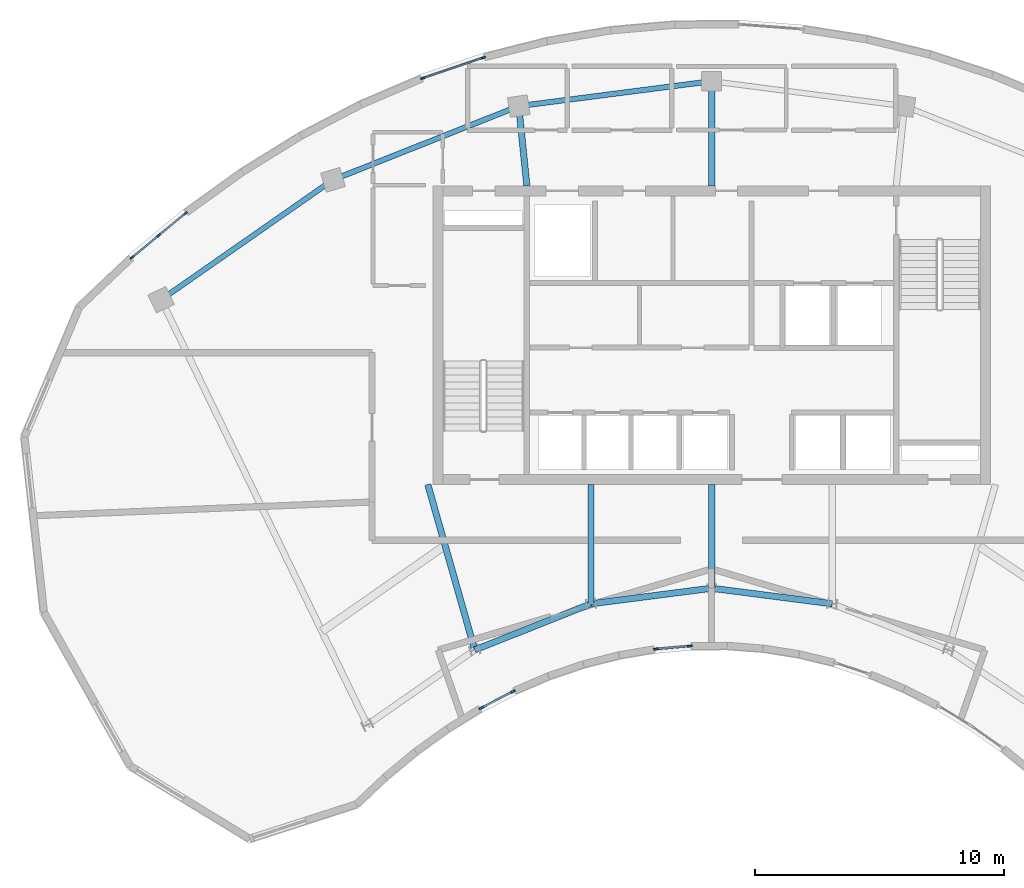
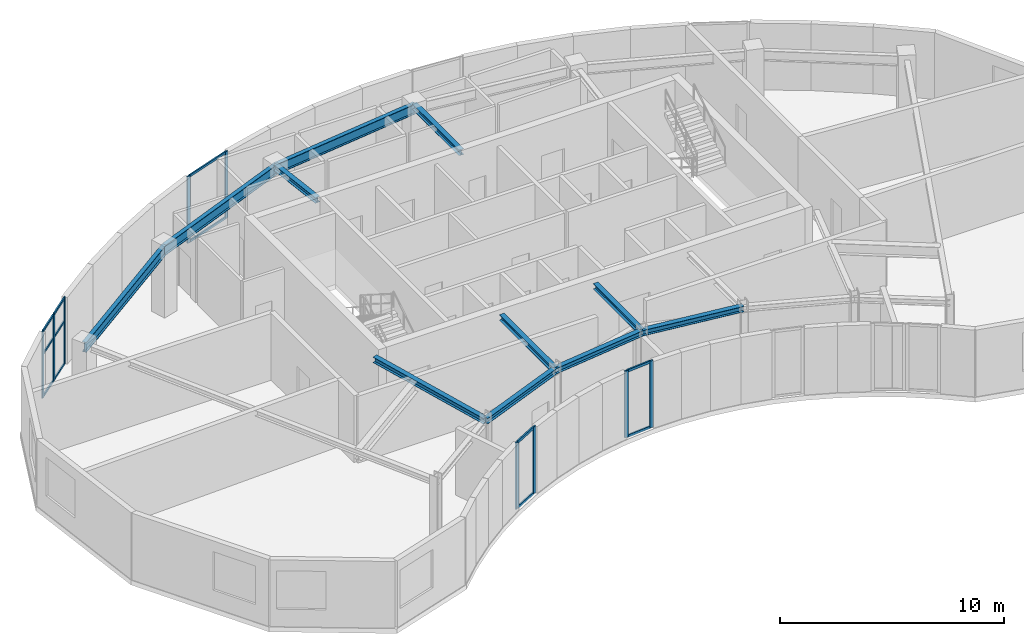
# One storey, part 2 of 9: 21 members, 11 beams, 4 elements without a shape of their own.
"""IFC4 building model written with IfcOpenShell, lengths in metres."""

import ifcopenshell
import ifcopenshell.guid

model = None  # the IFC model being written
_history = None  # IfcOwnerHistory: only IFC2X3 demands one
_inside = {}  # id of a spatial element -> (the spatial element, [elements in it])
_under = {}  # id of a project, library or spatial element -> (it, [spatial elements below it])
_declared = {}  # id of a project -> (the project, [libraries it declares])
_typed = {}  # id of a type object -> (the type object, [elements of that type])
_made_of = {}  # id of a material, layer set ... -> (it, [elements and type objects made of it])


def new_model(schema):
    """Start an empty IFC model of exactly this schema.

    Asked for "IFC4X3", IfcOpenShell would pick the latest addendum, in which some entities
    have other attributes; the version numbers below select the first issue.
    IFC2X3 requires an IfcOwnerHistory on every rooted entity: one is made here for all.
    """
    global model, _history
    if schema == "IFC4X3":
        model = ifcopenshell.file(schema_version=(4, 3, 0, 0))
    else:
        model = ifcopenshell.file(schema=schema)
    _inside.clear()
    _under.clear()
    _declared.clear()
    _typed.clear()
    _made_of.clear()
    _history = None
    if model.schema == "IFC2X3":
        org = make("IfcOrganization", Name="unknown")
        user = make(
            "IfcPersonAndOrganization",
            ThePerson=make("IfcPerson", FamilyName="unknown"),
            TheOrganization=org,
        )
        app = make(
            "IfcApplication",
            ApplicationDeveloper=org,
            Version="unknown",
            ApplicationFullName="unknown",
            ApplicationIdentifier="unknown",
        )
        _history = make(
            "IfcOwnerHistory",
            OwningUser=user,
            OwningApplication=app,
            ChangeAction="ADDED",
            CreationDate=0,
        )
    return model


def make(cls, **values):
    """One entity of the class cls with the attributes given. An attribute that is None is left unset."""
    return model.create_entity(
        cls, **{name: value for name, value in values.items() if value is not None}
    )


def rooted(cls, **values):
    """An entity with a GlobalId (a new one), such as an element, a storey or a relation."""
    return make(cls, GlobalId=ifcopenshell.guid.new(), OwnerHistory=_history, **values)


def si_unit(unit_type, name, prefix=None):
    """IfcSIUnit, for example si_unit("LENGTHUNIT", "METRE", prefix="MILLI")."""
    return make("IfcSIUnit", UnitType=unit_type, Prefix=prefix, Name=name)


def assignment(units):
    """IfcUnitAssignment: the units of a project."""
    return None if units is None else make("IfcUnitAssignment", Units=units)


def point(xyz):
    """IfcCartesianPoint."""
    return None if xyz is None else make("IfcCartesianPoint", Coordinates=xyz)


def direction(xyz):
    """IfcDirection."""
    return None if xyz is None else make("IfcDirection", DirectionRatios=xyz)


def frame(location, z_axis=None, x_axis=None):
    """IfcAxis2Placement3D, a coordinate frame: its origin and axes. An axis left out is left unset."""
    return make(
        "IfcAxis2Placement3D",
        Location=point(location),
        Axis=direction(z_axis),
        RefDirection=direction(x_axis),
    )


def frame_2d(location, x_axis=None):
    """IfcAxis2Placement2D, a coordinate frame in the plane: its origin and x axis."""
    return make(
        "IfcAxis2Placement2D", Location=point(location), RefDirection=direction(x_axis)
    )


def origin():
    """The frame at (0, 0, 0) with its axes left unset."""
    return frame((0.0, 0.0, 0.0))


def origin_2d():
    """The frame at (0, 0) in the plane with its x axis left unset."""
    return frame_2d((0.0, 0.0))


def place(relative_to, where):
    """IfcLocalPlacement: puts the frame where relative to a parent placement (None: the world)."""
    return make(
        "IfcLocalPlacement", PlacementRelTo=relative_to, RelativePlacement=where
    )


def context(
    kind, dimensions, precision=None, world=None, true_north=None, identifier=None
):
    """IfcGeometricRepresentationContext, for example the 3D "Model" context."""
    return make(
        "IfcGeometricRepresentationContext",
        ContextIdentifier=identifier,
        ContextType=kind,
        CoordinateSpaceDimension=dimensions,
        Precision=precision,
        WorldCoordinateSystem=world,
        TrueNorth=true_north,
    )


def subcontext(parent, identifier, kind, view, scale=None):
    """IfcGeometricRepresentationSubContext, for example "Body" below "Model"."""
    return make(
        "IfcGeometricRepresentationSubContext",
        ContextIdentifier=identifier,
        ContextType=kind,
        ParentContext=parent,
        TargetScale=scale,
        TargetView=view,
    )


def project(units=None, contexts=None):
    """IfcProject with its units and contexts."""
    return rooted(
        "IfcProject",
        Name="project",
        RepresentationContexts=contexts,
        UnitsInContext=assignment(units),
    )


def spatial(cls, under=None, at=None, **own):
    """A site, building, storey or space (cls), placed at a placement, below another one or the project."""
    s = rooted(cls, ObjectPlacement=at, **own)
    if under is not None:
        _under.setdefault(under.id(), (under, []))[1].append(s)
    return s


def profile(cls, at=None, kind="AREA", **sizes):
    """A parametric profile (cls). Its sizes go by their IFC names, for example OverallWidth=200.0."""
    return make(cls, ProfileType=kind, Position=at, **sizes)


def rectangle(**sizes):
    """IfcRectangleProfileDef."""
    return profile("IfcRectangleProfileDef", **sizes)


def i_section(**sizes):
    """IfcIShapeProfileDef."""
    return profile("IfcIShapeProfileDef", **sizes)


def extrude(swept, where, along, depth):
    """IfcExtrudedAreaSolid: the profile swept, set in the frame where, extruded along a direction by depth."""
    return make(
        "IfcExtrudedAreaSolid",
        SweptArea=swept,
        Position=where,
        ExtrudedDirection=direction(along),
        Depth=depth,
    )


def shape(context_of_items, identifier, shape_type, items):
    """IfcShapeRepresentation: the items that make up one representation, for example the "Body"."""
    return make(
        "IfcShapeRepresentation",
        ContextOfItems=context_of_items,
        RepresentationIdentifier=identifier,
        RepresentationType=shape_type,
        Items=items,
    )


def source(mapping_origin, context_of_items, identifier, shape_type, items):
    """IfcRepresentationMap: a shape defined once, which mapped items show again and again."""
    return make(
        "IfcRepresentationMap",
        MappingOrigin=mapping_origin,
        MappedRepresentation=shape(context_of_items, identifier, shape_type, items),
    )


def transform(
    local_origin,
    x_axis=None,
    y_axis=None,
    z_axis=None,
    scale=None,
    scale2=None,
    scale3=None,
    uniform=True,
):
    """IfcCartesianTransformationOperator3D, or its non-uniform kind. x_axis, y_axis, z_axis: its Axis1, 2, 3."""
    if uniform:
        return make(
            "IfcCartesianTransformationOperator3D",
            Axis1=direction(x_axis),
            Axis2=direction(y_axis),
            LocalOrigin=point(local_origin),
            Scale=scale,
            Axis3=direction(z_axis),
        )
    return make(
        "IfcCartesianTransformationOperator3DnonUniform",
        Axis1=direction(x_axis),
        Axis2=direction(y_axis),
        LocalOrigin=point(local_origin),
        Scale=scale,
        Axis3=direction(z_axis),
        Scale2=scale2,
        Scale3=scale3,
    )


def mapped(mapping_source, mapping_target):
    """IfcMappedItem: shows the shape of a source again, moved by a transform."""
    return make(
        "IfcMappedItem", MappingSource=mapping_source, MappingTarget=mapping_target
    )


def material(Name=None, Category=None):
    """IfcMaterial."""
    return make("IfcMaterial", Name=Name, Category=Category)


def layer(
    of_material, thickness, ventilated=None, Name=None, Category=None, Priority=None
):
    """IfcMaterialLayer: one layer of a wall or slab, of a material (None: an air gap)."""
    return make(
        "IfcMaterialLayer",
        Material=of_material,
        LayerThickness=thickness,
        IsVentilated=ventilated,
        Name=Name,
        Category=Category,
        Priority=Priority,
    )


def layer_set(layers, Name=None):
    """IfcMaterialLayerSet."""
    return make("IfcMaterialLayerSet", MaterialLayers=layers, LayerSetName=Name)


def material_profile(
    of_material, cross_section, Name=None, Category=None, Priority=None
):
    """IfcMaterialProfile: a cross section and its material."""
    return make(
        "IfcMaterialProfile",
        Name=Name,
        Material=of_material,
        Profile=cross_section,
        Priority=Priority,
        Category=Category,
    )


def profile_set(profiles, Name=None, composite=None):
    """IfcMaterialProfileSet."""
    return make(
        "IfcMaterialProfileSet",
        Name=Name,
        MaterialProfiles=profiles,
        CompositeProfile=composite,
    )


def made_of(thing, what):
    """Note that an element or type object is made of a material, layer set ...; save() writes the relation."""
    if what is not None:
        _made_of.setdefault(what.id(), (what, []))[1].append(thing)
    return thing


def type_object(cls, material=None, **own):
    """A type object (cls), such as IfcWallType, which elements share."""
    return made_of(rooted(cls, **own), material)


def element(
    cls,
    number,
    at=None,
    inside=None,
    cuts=None,
    type_object=None,
    material=None,
    context=None,
    identifier="Body",
    shape_type=None,
    held_by="IfcProductDefinitionShape",
    body=None,
    shapes=None,
    **own,
):
    """One element of the class cls, such as IfcWall. Its Tag is "e" and its number.

    at: its placement. inside: the storey or other place that contains it. cuts: it is an
    opening in that element (IfcRelVoidsElement). A single representation is given by context,
    identifier, shape_type and body (its items); several are given by shapes. held_by: the class
    of the entity that holds the representations. save() writes the other relations.
    """
    e = rooted(cls, Tag="e%d" % number, ObjectPlacement=at, **own)
    if body is not None:
        shapes = [shape(context, identifier, shape_type, body)]
    if shapes is not None:
        e.Representation = make(held_by, Representations=shapes)
    if inside is not None:
        _inside.setdefault(inside.id(), (inside, []))[1].append(e)
    if cuts is not None:
        rooted(
            "IfcRelVoidsElement", RelatingBuildingElement=cuts, RelatedOpeningElement=e
        )
    if type_object is not None:
        _typed.setdefault(type_object.id(), (type_object, []))[1].append(e)
    return made_of(e, material)


def aggregate(whole, parts):
    """IfcRelAggregates: a whole, such as a stair, and the parts it consists of."""
    return rooted("IfcRelAggregates", RelatingObject=whole, RelatedObjects=parts)


def save(model, path):
    """Write the relations noted so far, then the file.

    IfcRelAggregates (storeys below a building ...), IfcRelContainedInSpatialStructure (elements
    in a storey), IfcRelDefinesByType, IfcRelAssociatesMaterial and IfcRelDeclares: one each for
    every whole, place, type object, material and project.
    """
    for whole, parts in _under.values():
        aggregate(whole, parts)
    for where, things in _inside.values():
        rooted(
            "IfcRelContainedInSpatialStructure",
            RelatedElements=things,
            RelatingStructure=where,
        )
    for kind, things in _typed.values():
        rooted("IfcRelDefinesByType", RelatedObjects=things, RelatingType=kind)
    for what, things in _made_of.values():
        rooted("IfcRelAssociatesMaterial", RelatedObjects=things, RelatingMaterial=what)
    for by, libraries in _declared.values():
        rooted("IfcRelDeclares", RelatingContext=by, RelatedDefinitions=libraries)
    model.write(path)


model = new_model("IFC4")

# Units and contexts
model_context = context("Model", 3, precision=1e-05, world=origin(), true_north=direction((0.0, 1.0)))
body_context = subcontext(model_context, "Body", "Model", "MODEL_VIEW")
ifc_project = project(units=[si_unit("LENGTHUNIT", "METRE"), si_unit("AREAUNIT", "SQUARE_METRE"), si_unit("VOLUMEUNIT", "CUBIC_METRE"), si_unit("PLANEANGLEUNIT", "RADIAN"), si_unit("MASSUNIT", "GRAM", prefix="KILO")], contexts=[model_context])

# Site, building, storey
site_placement = place(None, origin())
site = spatial("IfcSite", under=ifc_project, at=site_placement, CompositionType="ELEMENT")
building_placement = place(site_placement, origin())
building = spatial("IfcBuilding", under=site, at=building_placement, Name="Breltana Convention Tower", CompositionType="ELEMENT")
storey_placement = place(building_placement, frame((0.0, 0.0, 295.199951171875)))
storey = spatial("IfcBuildingStorey", under=building, at=storey_placement, Name="L72", CompositionType="ELEMENT", Elevation=295.199951171875)

# Beams
ifc_material_1 = material(Name="Steel ASTM A992 Grade 50", Category="steel")
ifc_material_profile_1 = material_profile(ifc_material_1, i_section(OverallWidth=0.214111328125, OverallDepth=0.549072265625, WebThickness=0.0146484375, FlangeThickness=0.023681640625, at=origin_2d()), Name="W21X93")
ifc_profile_set_1 = profile_set([ifc_material_profile_1], Name="Steel ASTM A992 Grade 50")
beam_type_1 = type_object("IfcBeamType", Name="BM-SP-W21X93", PredefinedType="SPANDREL", material=ifc_profile_set_1)
shared_shape_1 = source(origin(), body_context, "Body", "SweptSolid", [
    extrude(i_section(OverallWidth=0.214111328125, OverallDepth=0.549072265625, WebThickness=0.0146484375, FlangeThickness=0.023681640625, at=origin_2d()), origin(), (0.0, 0.0, 1.0), 8.4169921875),
])
beam_1_placement = place(storey_placement, frame((25.8876953125, 67.626953125, 3.365478515625), z_axis=(0.820173800102, 0.572114444519, 0.0), x_axis=(-0.572114444519, 0.820173800102, 0.0)))
element("IfcBeam", 1, at=beam_1_placement, inside=storey, type_object=beam_type_1, Name="L72 Outer Spandrel Beam 03", PredefinedType="SPANDREL", context=body_context, shape_type="MappedRepresentation", body=[
    mapped(shared_shape_1, transform((0.0, 0.0, 0.0), scale=1.0)),
])
shared_shape_2 = source(origin(), body_context, "Body", "SweptSolid", [
    extrude(i_section(OverallWidth=0.214111328125, OverallDepth=0.549072265625, WebThickness=0.0146484375, FlangeThickness=0.023681640625, at=origin_2d()), origin(), (0.0, 0.0, 1.0), 8.028564453125),
])
beam_2_placement = place(storey_placement, frame((32.791015625, 72.4423828125, 3.365478515625), z_axis=(0.929459100394, 0.368925169507, 0.0), x_axis=(-0.368925169507, 0.929459100394, 0.0)))
element("IfcBeam", 2, at=beam_2_placement, inside=storey, type_object=beam_type_1, Name="L72 Outer Spandrel Beam 04", PredefinedType="SPANDREL", context=body_context, shape_type="MappedRepresentation", body=[
    mapped(shared_shape_2, transform((0.0, 0.0, 0.0), scale=1.0)),
])
shared_shape_3 = source(origin(), body_context, "Body", "SweptSolid", [
    extrude(i_section(OverallWidth=0.214111328125, OverallDepth=0.549072265625, WebThickness=0.0146484375, FlangeThickness=0.023681640625, at=origin_2d()), origin(), (0.0, 0.0, 1.0), 7.81103515625),
])
beam_3_placement = place(storey_placement, frame((40.253173828125, 75.404296875, 3.365478515625), z_axis=(0.991775179127, 0.127992164083, 0.0), x_axis=(-0.127992164083, 0.991775179127, 0.0)))
element("IfcBeam", 3, at=beam_3_placement, inside=storey, type_object=beam_type_1, Name="L72 Outer Spandrel Beam 05", PredefinedType="SPANDREL", context=body_context, shape_type="MappedRepresentation", body=[
    mapped(shared_shape_3, transform((0.0, 0.0, 0.0), scale=1.0)),
])
ifc_material_profile_2 = material_profile(ifc_material_1, i_section(OverallWidth=0.25390625, OverallDepth=0.305908203125, WebThickness=0.0087890625, FlangeThickness=0.0146484375, at=origin_2d()), Name="W12X53")
ifc_profile_set_2 = profile_set([ifc_material_profile_2], Name="Steel ASTM A992 Grade 50")
beam_type_2 = type_object("IfcBeamType", Name="BM-CN-W12X53", PredefinedType="BEAM", material=ifc_profile_set_2)
shared_shape_4 = source(origin(), body_context, "Body", "SweptSolid", [
    extrude(i_section(OverallWidth=0.25390625, OverallDepth=0.305908203125, WebThickness=0.0087890625, FlangeThickness=0.0146484375, at=origin_2d()), origin(), (0.0, 0.0, 1.0), 6.904541015625),
])
beam_4_placement = place(storey_placement, frame((36.60009765625, 60.199951171875, 3.487060546875), z_axis=(0.273006781054, -0.962012108811, 0.0), x_axis=(0.962012108811, 0.273006781054, 0.0)))
element("IfcBeam", 4, at=beam_4_placement, inside=storey, type_object=beam_type_2, Name="L72 South Core Tie Girder R04", PredefinedType="BEAM", context=body_context, shape_type="MappedRepresentation", body=[
    mapped(shared_shape_4, transform((0.0, 0.0, 0.0), scale=1.0)),
])
shared_shape_5 = source(origin(), body_context, "Body", "SweptSolid", [
    extrude(i_section(OverallWidth=0.25390625, OverallDepth=0.305908203125, WebThickness=0.0087890625, FlangeThickness=0.0146484375, at=origin_2d()), origin(), (0.0, 0.0, 1.0), 4.789306640625),
])
beam_5_placement = place(storey_placement, frame((43.153564453125, 60.199951171875, 3.487060546875), z_axis=(0.0, -1.0, 0.0), x_axis=(1.0, 0.0, 0.0)))
element("IfcBeam", 5, at=beam_5_placement, inside=storey, type_object=beam_type_2, Name="L72 South Core Tie Girder R05", PredefinedType="BEAM", context=body_context, shape_type="MappedRepresentation", body=[
    mapped(shared_shape_5, transform((0.0, 0.0, 0.0), scale=1.0)),
])
shared_shape_6 = source(origin(), body_context, "Body", "SweptSolid", [
    extrude(i_section(OverallWidth=0.25390625, OverallDepth=0.305908203125, WebThickness=0.0087890625, FlangeThickness=0.0146484375, at=origin_2d()), origin(), (0.0, 0.0, 1.0), 3.220947265625),
])
beam_6_placement = place(storey_placement, frame((40.580078125, 72.199951171875, 3.487060546875), z_axis=(-0.101492254858, 0.994836329355, 0.0), x_axis=(-0.994836329355, -0.101492254858, 0.0)))
element("IfcBeam", 6, at=beam_6_placement, inside=storey, type_object=beam_type_2, Name="L72 North Core Radial Girder R05", PredefinedType="BEAM", context=body_context, shape_type="MappedRepresentation", body=[
    mapped(shared_shape_6, transform((0.0, 0.0, 0.0), scale=1.0)),
])
shared_shape_7 = source(origin(), body_context, "Body", "SweptSolid", [
    extrude(i_section(OverallWidth=0.25390625, OverallDepth=0.305908203125, WebThickness=0.0087890625, FlangeThickness=0.0146484375, at=origin_2d()), origin(), (0.0, 0.0, 1.0), 4.1640625),
])
beam_7_placement = place(storey_placement, frame((48.0, 60.199951171875, 3.487060546875), z_axis=(0.0, -1.0, 0.0), x_axis=(1.0, 0.0, 0.0)))
element("IfcBeam", 7, at=beam_7_placement, inside=storey, type_object=beam_type_2, Name="L72 South Core Tie Girder R06", PredefinedType="BEAM", context=body_context, shape_type="MappedRepresentation", body=[
    mapped(shared_shape_7, transform((0.0, 0.0, 0.0), scale=1.0)),
])
shared_shape_8 = source(origin(), body_context, "Body", "SweptSolid", [
    extrude(i_section(OverallWidth=0.25390625, OverallDepth=0.305908203125, WebThickness=0.0087890625, FlangeThickness=0.0146484375, at=origin_2d()), origin(), (0.0, 0.0, 1.0), 4.2041015625),
])
beam_8_placement = place(storey_placement, frame((48.0, 72.199951171875, 3.487060546875), z_axis=(0.0, 1.0, 0.0), x_axis=(-1.0, 0.0, 0.0)))
element("IfcBeam", 8, at=beam_8_placement, inside=storey, type_object=beam_type_2, Name="L72 North Core Radial Girder R06", PredefinedType="BEAM", context=body_context, shape_type="MappedRepresentation", body=[
    mapped(shared_shape_8, transform((0.0, 0.0, 0.0), scale=1.0)),
])
shared_shape_9 = source(origin(), body_context, "Body", "SweptSolid", [
    extrude(i_section(OverallWidth=0.25390625, OverallDepth=0.305908203125, WebThickness=0.0087890625, FlangeThickness=0.0146484375, at=origin_2d()), origin(), (0.0, 0.0, 1.0), 5.022705078125),
])
beam_9_placement = place(storey_placement, frame((38.485107421875, 53.5576171875, 3.487060546875), z_axis=(0.929458966248, 0.368925507469, 0.0), x_axis=(-0.368925507469, 0.929458966248, 0.0)))
element("IfcBeam", 9, at=beam_9_placement, inside=storey, type_object=beam_type_2, Name="L72 Inner Ring Beam 04", PredefinedType="BEAM", context=body_context, shape_type="MappedRepresentation", body=[
    mapped(shared_shape_9, transform((0.0, 0.0, 0.0), scale=1.0)),
])
shared_shape_10 = source(origin(), body_context, "Body", "SweptSolid", [
    extrude(i_section(OverallWidth=0.25390625, OverallDepth=0.305908203125, WebThickness=0.0087890625, FlangeThickness=0.0146484375, at=origin_2d()), origin(), (0.0, 0.0, 1.0), 4.88671875),
])
for number, where, z_axis, x_axis, name in (
    (10, (43.153564453125, 55.41064453125, 3.487060546875), (0.991780525565, 0.127950729231, 0.0), (-0.127950729231, 0.991780525565, 0.0), "L72 Inner Ring Beam 05"),
    (11, (48.0, 56.035888671875, 3.487060546875), (0.991780525565, -0.127950729231, 0.0), (0.127950729231, 0.991780525565, 0.0), "L72 Inner Ring Beam 06"),
):
    element("IfcBeam", number, at=place(storey_placement, frame(where, z_axis=z_axis, x_axis=x_axis)), inside=storey, type_object=beam_type_2, Name=name, PredefinedType="BEAM", context=body_context, shape_type="MappedRepresentation", body=[
        mapped(shared_shape_10, transform((0.0, 0.0, 0.0), scale=1.0)),
    ])

# Curtain wall, members
ifc_material_2 = material(Name="Aluminium Anodised Bronze Frame", Category="aluminium")
ifc_layer_1 = layer(ifc_material_2, 0.18994140625, Name="Aluminium Anodised Bronze Frame")
ifc_layer_set_1 = layer_set([ifc_layer_1], Name="Aluminium Anodised Bronze Frame")
curtain_wall_type_1 = type_object("IfcCurtainWallType", Name="CW-SYS-1", PredefinedType="NOTDEFINED", material=ifc_layer_set_1)
curtain_wall_1_placement = place(storey_placement, origin())
curtain_wall_1 = element("IfcCurtainWall", 12, at=curtain_wall_1_placement, inside=storey, type_object=curtain_wall_type_1, Name="L72 inner south-court glazing 4", PredefinedType="NOTDEFINED")
ifc_material_3 = material(Name="Aluminium Anodised Bronze", Category="aluminium")
ifc_material_profile_3 = material_profile(ifc_material_3, rectangle(XDim=0.080078125, YDim=0.199951171875, at=origin_2d()), Name="CWM-80X200")
ifc_profile_set_3 = profile_set([ifc_material_profile_3], Name="Aluminium Anodised Bronze")
member_type_1 = type_object("IfcMemberType", Name="CWM-200", PredefinedType="MULLION", material=ifc_profile_set_3)
shared_shape_11 = source(origin(), body_context, "Body", "SweptSolid", [
    extrude(rectangle(XDim=0.080078125, YDim=0.199951171875, at=origin_2d()), origin(), (0.0, 0.0, 1.0), 3.64013671875),
])
member_1_placement = place(storey_placement, frame((47.12255859375, 53.713623046875, 0.0), z_axis=(0.0, 0.0, 1.0), x_axis=(0.087519079336, -0.996162843491, 0.0)))
member_1 = element("IfcMember", 13, at=member_1_placement, type_object=member_type_1, Name="CW-01 mullion 1", PredefinedType="MULLION", context=body_context, shape_type="MappedRepresentation", body=[
    mapped(shared_shape_11, transform((0.0, 0.0, 0.0), scale=1.0)),
])
member_2_placement = place(storey_placement, frame((45.766845703125, 53.594482421875, 0.0), z_axis=(0.0, 0.0, 1.0), x_axis=(0.087519079336, -0.996162843491, 0.0)))
member_2 = element("IfcMember", 14, at=member_2_placement, type_object=member_type_1, Name="CW-01 mullion 2", PredefinedType="MULLION", context=body_context, shape_type="MappedRepresentation", body=[
    mapped(shared_shape_11, transform((0.0, 0.0, 0.0), scale=1.0)),
])

curtain_wall_2_placement = place(storey_placement, origin())
curtain_wall_2 = element("IfcCurtainWall", 15, at=curtain_wall_2_placement, inside=storey, type_object=curtain_wall_type_1, Name="L72 inner south-court glazing 5", PredefinedType="NOTDEFINED")
member_3_placement = place(storey_placement, frame((40.02001953125, 51.887939453125, 0.0), z_axis=(0.0, 0.0, 1.0), x_axis=(0.462102455484, -0.886826544842, 0.0)))
member_3 = element("IfcMember", 16, at=member_3_placement, type_object=member_type_1, Name="CW-01 mullion 1", PredefinedType="MULLION", context=body_context, shape_type="MappedRepresentation", body=[
    mapped(shared_shape_11, transform((0.0, 0.0, 0.0), scale=1.0)),
])
member_4_placement = place(storey_placement, frame((38.75048828125, 51.2265625, 0.0), z_axis=(0.0, 0.0, 1.0), x_axis=(0.462102455484, -0.886826544842, 0.0)))
member_4 = element("IfcMember", 17, at=member_4_placement, type_object=member_type_1, Name="CW-01 mullion 2", PredefinedType="MULLION", context=body_context, shape_type="MappedRepresentation", body=[
    mapped(shared_shape_11, transform((0.0, 0.0, 0.0), scale=1.0)),
])

ifc_layer_2 = layer(ifc_material_2, 0.22998046875, Name="Aluminium Anodised Bronze Frame")
ifc_layer_set_2 = layer_set([ifc_layer_2], Name="Aluminium Anodised Bronze Frame")
curtain_wall_type_2 = type_object("IfcCurtainWallType", Name="CW-SYS-5", PredefinedType="NOTDEFINED", material=ifc_layer_set_2)
curtain_wall_3_placement = place(storey_placement, origin())
curtain_wall_3 = element("IfcCurtainWall", 18, at=curtain_wall_3_placement, inside=storey, type_object=curtain_wall_type_2, Name="L72 outer double-skin inner glazing 1", PredefinedType="NOTDEFINED")
ifc_material_profile_4 = material_profile(ifc_material_3, rectangle(XDim=0.070068359375, YDim=0.175048828125, at=origin_2d()), Name="CWM-70X175")
ifc_profile_set_4 = profile_set([ifc_material_profile_4], Name="Aluminium Anodised Bronze")
member_type_2 = type_object("IfcMemberType", Name="CWM-175", PredefinedType="MULLION", material=ifc_profile_set_4)
shared_shape_12 = source(origin(), body_context, "Body", "SweptSolid", [
    extrude(rectangle(XDim=0.070068359375, YDim=0.175048828125, at=origin_2d()), origin(), (0.0, 0.0, 1.0), 3.64013671875),
])
member_5_placement = place(storey_placement, frame((24.716796875, 69.321533203125, 0.0), z_axis=(0.0, 0.0, 1.0), x_axis=(-0.638320160979, 0.76977098678, 0.0)))
member_5 = element("IfcMember", 19, at=member_5_placement, type_object=member_type_2, Name="CW-05 mullion 1", PredefinedType="MULLION", context=body_context, shape_type="MappedRepresentation", body=[
    mapped(shared_shape_12, transform((0.0, 0.0, 0.0), scale=1.0)),
])
member_6_placement = place(storey_placement, frame((25.78759765625, 70.209228515625, 0.0), z_axis=(0.0, 0.0, 1.0), x_axis=(-0.638320160979, 0.76977098678, 0.0)))
member_6 = element("IfcMember", 20, at=member_6_placement, type_object=member_type_2, Name="CW-05 mullion 2", PredefinedType="MULLION", context=body_context, shape_type="MappedRepresentation", body=[
    mapped(shared_shape_12, transform((0.0, 0.0, 0.0), scale=1.0)),
])
member_7_placement = place(storey_placement, frame((26.858154296875, 71.09716796875, 0.0), z_axis=(0.0, 0.0, 1.0), x_axis=(-0.638320160979, 0.76977098678, 0.0)))
member_7 = element("IfcMember", 21, at=member_7_placement, type_object=member_type_2, Name="CW-05 mullion 3", PredefinedType="MULLION", context=body_context, shape_type="MappedRepresentation", body=[
    mapped(shared_shape_12, transform((0.0, 0.0, 0.0), scale=1.0)),
])

curtain_wall_4_placement = place(storey_placement, origin())
curtain_wall_4 = element("IfcCurtainWall", 22, at=curtain_wall_4_placement, inside=storey, type_object=curtain_wall_type_2, Name="L72 outer double-skin inner glazing 2", PredefinedType="NOTDEFINED")
member_8_placement = place(storey_placement, frame((36.39697265625, 76.5224609375, 0.0), z_axis=(0.0, 0.0, 1.0), x_axis=(-0.322186529445, 0.946676206654, 0.0)))
member_8 = element("IfcMember", 23, at=member_8_placement, type_object=member_type_2, Name="CW-05 mullion 1", PredefinedType="MULLION", context=body_context, shape_type="MappedRepresentation", body=[
    mapped(shared_shape_12, transform((0.0, 0.0, 0.0), scale=1.0)),
])
member_9_placement = place(storey_placement, frame((38.830322265625, 77.3505859375, 0.0), z_axis=(0.0, 0.0, 1.0), x_axis=(-0.322186529445, 0.946676206654, 0.0)))
member_9 = element("IfcMember", 24, at=member_9_placement, type_object=member_type_2, Name="CW-05 mullion 2", PredefinedType="MULLION", context=body_context, shape_type="MappedRepresentation", body=[
    mapped(shared_shape_12, transform((0.0, 0.0, 0.0), scale=1.0)),
])

# Member
ifc_material_profile_5 = material_profile(ifc_material_3, rectangle(XDim=0.070068359375, YDim=0.1201171875, at=origin_2d()), Name="CWT-70X120")
ifc_profile_set_5 = profile_set([ifc_material_profile_5], Name="Aluminium Anodised Bronze")
member_type_3 = type_object("IfcMemberType", Name="CWT-120", PredefinedType="USERDEFINED", material=ifc_profile_set_5)
shared_shape_13 = source(origin(), body_context, "Body", "SweptSolid", [
    extrude(rectangle(XDim=0.070068359375, YDim=0.1201171875, at=origin_2d()), origin(), (0.0, 0.0, 1.0), 1.321044921875),
])
member_10_placement = place(storey_placement, frame((24.74365234375, 69.34375, 0.03515625), z_axis=(0.769749100727, 0.63834655316, 0.0), x_axis=(-0.63834655316, 0.769749100727, 0.0)))
member_10 = element("IfcMember", 25, at=member_10_placement, type_object=member_type_3, Name="CW-05 transom 1.1", ObjectType="TRANSOM", PredefinedType="USERDEFINED", context=body_context, shape_type="MappedRepresentation", body=[
    mapped(shared_shape_13, transform((0.0, 0.0, 0.0), scale=1.0)),
])

member_11_placement = place(storey_placement, frame((24.74365234375, 69.34375, 2.365966796875), z_axis=(0.769749100727, 0.63834655316, 0.0), x_axis=(-0.63834655316, 0.769749100727, 0.0)))
member_11 = element("IfcMember", 26, at=member_11_placement, type_object=member_type_3, Name="CW-05 transom 1.2", ObjectType="TRANSOM", PredefinedType="USERDEFINED", context=body_context, shape_type="MappedRepresentation", body=[
    mapped(shared_shape_13, transform((0.0, 0.0, 0.0), scale=1.0)),
])

member_12_placement = place(storey_placement, frame((24.74365234375, 69.34375, 3.60498046875), z_axis=(0.769749100727, 0.63834655316, 0.0), x_axis=(-0.63834655316, 0.769749100727, 0.0)))
member_12 = element("IfcMember", 27, at=member_12_placement, type_object=member_type_3, Name="CW-05 transom 1.3", ObjectType="TRANSOM", PredefinedType="USERDEFINED", context=body_context, shape_type="MappedRepresentation", body=[
    mapped(shared_shape_13, transform((0.0, 0.0, 0.0), scale=1.0)),
])

member_13_placement = place(storey_placement, frame((25.814453125, 70.231689453125, 0.03515625), z_axis=(0.769749100727, 0.63834655316, 0.0), x_axis=(-0.63834655316, 0.769749100727, 0.0)))
member_13 = element("IfcMember", 28, at=member_13_placement, type_object=member_type_3, Name="CW-05 transom 2.1", ObjectType="TRANSOM", PredefinedType="USERDEFINED", context=body_context, shape_type="MappedRepresentation", body=[
    mapped(shared_shape_13, transform((0.0, 0.0, 0.0), scale=1.0)),
])

member_14_placement = place(storey_placement, frame((25.814453125, 70.231689453125, 2.365966796875), z_axis=(0.769749100727, 0.63834655316, 0.0), x_axis=(-0.63834655316, 0.769749100727, 0.0)))
member_14 = element("IfcMember", 29, at=member_14_placement, type_object=member_type_3, Name="CW-05 transom 2.2", ObjectType="TRANSOM", PredefinedType="USERDEFINED", context=body_context, shape_type="MappedRepresentation", body=[
    mapped(shared_shape_13, transform((0.0, 0.0, 0.0), scale=1.0)),
])

member_15_placement = place(storey_placement, frame((25.814453125, 70.231689453125, 3.60498046875), z_axis=(0.769749100727, 0.63834655316, 0.0), x_axis=(-0.63834655316, 0.769749100727, 0.0)))
member_15 = element("IfcMember", 30, at=member_15_placement, type_object=member_type_3, Name="CW-05 transom 2.3", ObjectType="TRANSOM", PredefinedType="USERDEFINED", context=body_context, shape_type="MappedRepresentation", body=[
    mapped(shared_shape_13, transform((0.0, 0.0, 0.0), scale=1.0)),
])

aggregate(curtain_wall_3, [member_5, member_6, member_7, member_10, member_11, member_12, member_13, member_14, member_15])

ifc_material_profile_6 = material_profile(ifc_material_3, rectangle(XDim=0.080078125, YDim=0.139892578125, at=origin_2d()), Name="CWT-80X140")
ifc_profile_set_6 = profile_set([ifc_material_profile_6], Name="Aluminium Anodised Bronze")
member_type_4 = type_object("IfcMemberType", Name="CWT-140", PredefinedType="USERDEFINED", material=ifc_profile_set_6)
shared_shape_14 = source(origin(), body_context, "Body", "SweptSolid", [
    extrude(rectangle(XDim=0.080078125, YDim=0.139892578125, at=origin_2d()), origin(), (0.0, 0.0, 1.0), 1.28076171875),
])
member_16_placement = place(storey_placement, frame((47.08251953125, 53.710205078125, 0.0400390625), z_axis=(-0.996148479947, -0.087682414997, 0.0), x_axis=(0.087682414997, -0.996148479947, 0.0)))
member_16 = element("IfcMember", 31, at=member_16_placement, type_object=member_type_4, Name="CW-01 transom 1.1", ObjectType="TRANSOM", PredefinedType="USERDEFINED", context=body_context, shape_type="MappedRepresentation", body=[
    mapped(shared_shape_14, transform((0.0, 0.0, 0.0), scale=1.0)),
])

member_17_placement = place(storey_placement, frame((47.08251953125, 53.710205078125, 3.60009765625), z_axis=(-0.996148479947, -0.087682414997, 0.0), x_axis=(0.087682414997, -0.996148479947, 0.0)))
member_17 = element("IfcMember", 32, at=member_17_placement, type_object=member_type_4, Name="CW-01 transom 1.2", ObjectType="TRANSOM", PredefinedType="USERDEFINED", context=body_context, shape_type="MappedRepresentation", body=[
    mapped(shared_shape_14, transform((0.0, 0.0, 0.0), scale=1.0)),
])

aggregate(curtain_wall_1, [member_1, member_2, member_16, member_17])

shared_shape_15 = source(origin(), body_context, "Body", "SweptSolid", [
    extrude(rectangle(XDim=0.080078125, YDim=0.139892578125, at=origin_2d()), origin(), (0.0, 0.0, 1.0), 1.3515625),
])
member_18_placement = place(storey_placement, frame((39.984619140625, 51.86962890625, 0.0400390625), z_axis=(-0.886749054893, -0.462251136987, 0.0), x_axis=(0.462251136987, -0.886749054893, 0.0)))
member_18 = element("IfcMember", 33, at=member_18_placement, type_object=member_type_4, Name="CW-01 transom 1.1", ObjectType="TRANSOM", PredefinedType="USERDEFINED", context=body_context, shape_type="MappedRepresentation", body=[
    mapped(shared_shape_15, transform((0.0, 0.0, 0.0), scale=1.0)),
])

member_19_placement = place(storey_placement, frame((39.984619140625, 51.86962890625, 3.60009765625), z_axis=(-0.886749054893, -0.462251136987, 0.0), x_axis=(0.462251136987, -0.886749054893, 0.0)))
member_19 = element("IfcMember", 34, at=member_19_placement, type_object=member_type_4, Name="CW-01 transom 1.2", ObjectType="TRANSOM", PredefinedType="USERDEFINED", context=body_context, shape_type="MappedRepresentation", body=[
    mapped(shared_shape_15, transform((0.0, 0.0, 0.0), scale=1.0)),
])

aggregate(curtain_wall_2, [member_3, member_4, member_18, member_19])

shared_shape_16 = source(origin(), body_context, "Body", "SweptSolid", [
    extrude(rectangle(XDim=0.070068359375, YDim=0.1201171875, at=origin_2d()), origin(), (0.0, 0.0, 1.0), 2.500244140625),
])
member_20_placement = place(storey_placement, frame((36.43017578125, 76.53369140625, 0.03515625), z_axis=(0.946662581266, 0.322226561957, 0.0), x_axis=(-0.322226561957, 0.946662581266, 0.0)))
member_20 = element("IfcMember", 35, at=member_20_placement, type_object=member_type_3, Name="CW-05 transom 1.1", ObjectType="TRANSOM", PredefinedType="USERDEFINED", context=body_context, shape_type="MappedRepresentation", body=[
    mapped(shared_shape_16, transform((0.0, 0.0, 0.0), scale=1.0)),
])

member_21_placement = place(storey_placement, frame((36.43017578125, 76.53369140625, 3.60498046875), z_axis=(0.946662581266, 0.322226561957, 0.0), x_axis=(-0.322226561957, 0.946662581266, 0.0)))
member_21 = element("IfcMember", 36, at=member_21_placement, type_object=member_type_3, Name="CW-05 transom 1.2", ObjectType="TRANSOM", PredefinedType="USERDEFINED", context=body_context, shape_type="MappedRepresentation", body=[
    mapped(shared_shape_16, transform((0.0, 0.0, 0.0), scale=1.0)),
])

aggregate(curtain_wall_4, [member_8, member_9, member_20, member_21])

save(model, "model.ifc")
